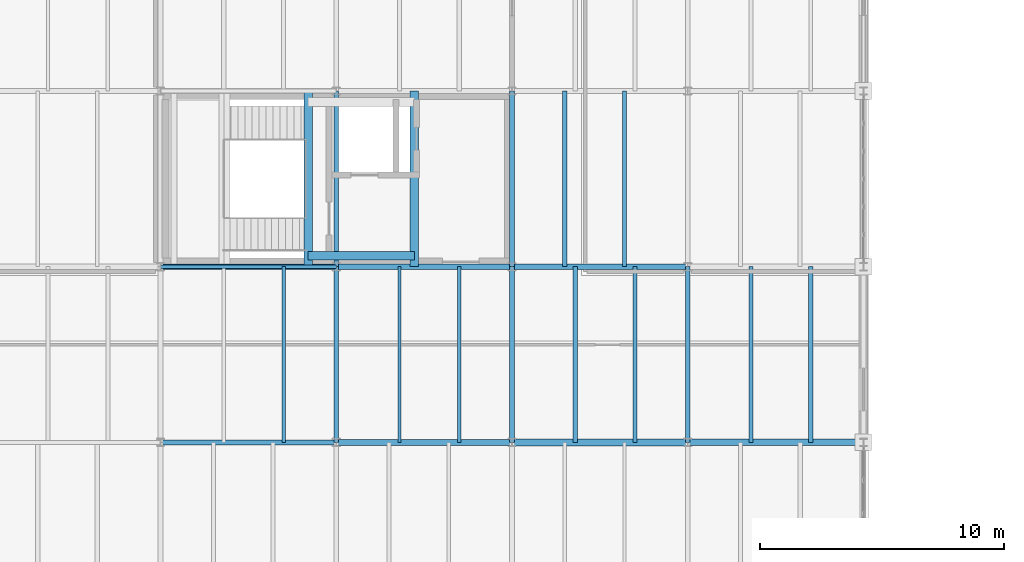
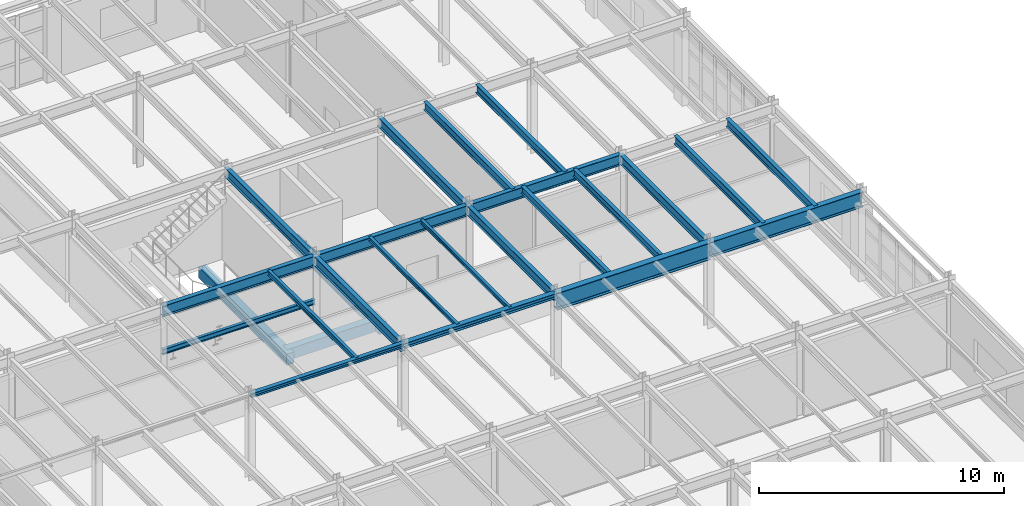
# One storey, part 38 of 137: 25 beams.
"""IFC4 building model written with IfcOpenShell, lengths in metres."""

from ifc_helpers import new_model, si_unit, direction, frame, origin, origin_2d, place, context, subcontext, project, spatial, rectangle, i_section, extrude, material, material_profile, profile_set, type_object, element, save


model = new_model("IFC4")

# Units and contexts
model_context = context("Model", 3, precision=1e-05, world=origin(), true_north=direction((0.0, 1.0)))
body_context = subcontext(model_context, "Body", "Model", "MODEL_VIEW")
ifc_project = project(units=[si_unit("LENGTHUNIT", "METRE"), si_unit("AREAUNIT", "SQUARE_METRE"), si_unit("VOLUMEUNIT", "CUBIC_METRE"), si_unit("PLANEANGLEUNIT", "RADIAN"), si_unit("MASSUNIT", "GRAM", prefix="KILO")], contexts=[model_context])

# Site, building, storey
site_placement = place(None, origin())
site = spatial("IfcSite", under=ifc_project, at=site_placement, CompositionType="ELEMENT")
building_placement = place(site_placement, origin())
building = spatial("IfcBuilding", under=site, at=building_placement, Name="Kemerveld Promenade Tramway Depot", CompositionType="ELEMENT")
storey_placement = place(building_placement, frame((0.0, 0.0, 5.39990234375)))
storey = spatial("IfcBuildingStorey", under=building, at=storey_placement, Name="L01", CompositionType="ELEMENT", Elevation=5.39990234375)

# Beams
ifc_material_1 = material(Name="Steel S355", Category="steel")
ifc_material_profile_1 = material_profile(ifc_material_1, i_section(OverallWidth=0.293701171875, OverallDepth=0.850830078125, WebThickness=0.01611328125, FlangeThickness=0.02685546875, FilletRadius=0.017822265625, at=origin_2d()), Name="838x292x226 UB")
ifc_profile_set_1 = profile_set([ifc_material_profile_1], Name="Steel S355")
beam_type_1 = type_object("IfcBeamType", Name="BM-G01", PredefinedType="BEAM", material=ifc_profile_set_1)
beam_1_placement = place(storey_placement, frame((43.199951171875, 50.39990234375, 3.834716796875), z_axis=(1.0, 0.0, 0.0), x_axis=(0.0, 1.0, 0.0)))
element("IfcBeam", 1, at=beam_1_placement, inside=storey, type_object=beam_type_1, Name="BMX-L01-07-08-H", PredefinedType="BEAM", context=body_context, shape_type="SweptSolid", body=[
    extrude(i_section(OverallWidth=0.293701171875, OverallDepth=0.850830078125, WebThickness=0.01611328125, FlangeThickness=0.02685546875, FilletRadius=0.017822265625, at=origin_2d()), origin(), (0.0, 0.0, 1.0), 7.199951171875),
])
ifc_material_profile_2 = material_profile(ifc_material_1, i_section(OverallWidth=0.2666015625, OverallDepth=0.76220703125, WebThickness=0.014404296875, FlangeThickness=0.021484375, FilletRadius=0.0166015625, at=origin_2d()), Name="762x267x173 UB")
ifc_profile_set_2 = profile_set([ifc_material_profile_2], Name="Steel S355")
beam_type_2 = type_object("IfcBeamType", Name="BM-G02", PredefinedType="BEAM", material=ifc_profile_set_2)
beam_2_placement = place(storey_placement, frame((50.39990234375, 50.39990234375, 3.87890625), z_axis=(1.0, 0.0, 0.0), x_axis=(0.0, 1.0, 0.0)))
element("IfcBeam", 2, at=beam_2_placement, inside=storey, type_object=beam_type_2, Name="BMX-L01-08-09-H", PredefinedType="BEAM", context=body_context, shape_type="SweptSolid", body=[
    extrude(i_section(OverallWidth=0.2666015625, OverallDepth=0.76220703125, WebThickness=0.014404296875, FlangeThickness=0.021484375, FilletRadius=0.0166015625, at=origin_2d()), origin(), (0.0, 0.0, 1.0), 7.2001953125),
])
ifc_material_profile_3 = material_profile(ifc_material_1, i_section(OverallWidth=0.2099609375, OverallDepth=0.53662109375, WebThickness=0.0107421875, FlangeThickness=0.017333984375, FilletRadius=0.0126953125, at=origin_2d()), Name="533x210x101 UB")
ifc_profile_set_3 = profile_set([ifc_material_profile_3], Name="Steel S355")
beam_type_3 = type_object("IfcBeamType", Name="BM-G05", PredefinedType="BEAM", material=ifc_profile_set_3)
for number, where, z_axis, x_axis, name in (
    (3, (28.800048828125, 57.60009765625, 3.99169921875), (1.0, 0.0, 0.0), (0.0, 1.0, 0.0), "BMX-L01-05-06-J"),
    (4, (36.0, 57.60009765625, 3.99169921875), (1.0, 0.0, 0.0), (0.0, 1.0, 0.0), "BMX-L01-06-07-J"),
    (5, (43.199951171875, 57.60009765625, 3.99169921875), (1.0, 0.0, 0.0), (0.0, 1.0, 0.0), "BMX-L01-07-08-J"),
):
    element("IfcBeam", number, at=place(storey_placement, frame(where, z_axis=z_axis, x_axis=x_axis)), inside=storey, type_object=beam_type_3, Name=name, PredefinedType="BEAM", context=body_context, shape_type="SweptSolid", body=[
        extrude(i_section(OverallWidth=0.2099609375, OverallDepth=0.53662109375, WebThickness=0.0107421875, FlangeThickness=0.017333984375, FilletRadius=0.0126953125, at=origin_2d()), origin(), (0.0, 0.0, 1.0), 7.199951171875),
    ])
ifc_material_profile_4 = material_profile(ifc_material_1, i_section(OverallWidth=0.19140625, OverallDepth=0.4599609375, WebThickness=0.010009765625, FlangeThickness=0.01611328125, FilletRadius=0.01025390625, at=origin_2d()), Name="457x191x82 UB")
ifc_profile_set_4 = profile_set([ifc_material_profile_4], Name="Steel S355")
beam_type_4 = type_object("IfcBeamType", Name="BM-G06", PredefinedType="BEAM", material=ifc_profile_set_4)
beam_3_placement = place(storey_placement, frame((36.0, 50.39990234375, 4.030029296875), z_axis=(0.0, 1.0, 0.0), x_axis=(-1.0, 0.0, 0.0)))
element("IfcBeam", 6, at=beam_3_placement, inside=storey, type_object=beam_type_4, Name="BMY-L01-06-H-J", PredefinedType="BEAM", context=body_context, shape_type="SweptSolid", body=[
    extrude(i_section(OverallWidth=0.19140625, OverallDepth=0.4599609375, WebThickness=0.010009765625, FlangeThickness=0.01611328125, FilletRadius=0.01025390625, at=origin_2d()), origin(), (0.0, 0.0, 1.0), 7.2001953125),
])
beam_4_placement = place(storey_placement, frame((36.0, 57.60009765625, 4.030029296875), z_axis=(0.0, 1.0, 0.0), x_axis=(-1.0, 0.0, 0.0)))
element("IfcBeam", 7, at=beam_4_placement, inside=storey, type_object=beam_type_4, Name="BMY-L01-06-J-K", PredefinedType="BEAM", context=body_context, shape_type="SweptSolid", body=[
    extrude(i_section(OverallWidth=0.19140625, OverallDepth=0.4599609375, WebThickness=0.010009765625, FlangeThickness=0.01611328125, FilletRadius=0.01025390625, at=origin_2d()), origin(), (0.0, 0.0, 1.0), 7.199951171875),
])
beam_5_placement = place(storey_placement, frame((43.199951171875, 50.39990234375, 4.030029296875), z_axis=(0.0, 1.0, 0.0), x_axis=(-1.0, 0.0, 0.0)))
element("IfcBeam", 8, at=beam_5_placement, inside=storey, type_object=beam_type_4, Name="BMY-L01-07-H-J", PredefinedType="BEAM", context=body_context, shape_type="SweptSolid", body=[
    extrude(i_section(OverallWidth=0.19140625, OverallDepth=0.4599609375, WebThickness=0.010009765625, FlangeThickness=0.01611328125, FilletRadius=0.01025390625, at=origin_2d()), origin(), (0.0, 0.0, 1.0), 7.2001953125),
])
beam_6_placement = place(storey_placement, frame((43.199951171875, 57.60009765625, 4.030029296875), z_axis=(0.0, 1.0, 0.0), x_axis=(-1.0, 0.0, 0.0)))
element("IfcBeam", 9, at=beam_6_placement, inside=storey, type_object=beam_type_4, Name="BMY-L01-07-J-K", PredefinedType="BEAM", context=body_context, shape_type="SweptSolid", body=[
    extrude(i_section(OverallWidth=0.19140625, OverallDepth=0.4599609375, WebThickness=0.010009765625, FlangeThickness=0.01611328125, FilletRadius=0.01025390625, at=origin_2d()), origin(), (0.0, 0.0, 1.0), 7.199951171875),
])
beam_7_placement = place(storey_placement, frame((50.39990234375, 50.39990234375, 4.030029296875), z_axis=(0.0, 1.0, 0.0), x_axis=(-1.0, 0.0, 0.0)))
element("IfcBeam", 10, at=beam_7_placement, inside=storey, type_object=beam_type_4, Name="BMY-L01-08-H-J", PredefinedType="BEAM", context=body_context, shape_type="SweptSolid", body=[
    extrude(i_section(OverallWidth=0.19140625, OverallDepth=0.4599609375, WebThickness=0.010009765625, FlangeThickness=0.01611328125, FilletRadius=0.01025390625, at=origin_2d()), origin(), (0.0, 0.0, 1.0), 7.2001953125),
])
ifc_material_profile_5 = material_profile(ifc_material_1, i_section(OverallWidth=0.146484375, OverallDepth=0.256103515625, WebThickness=0.00634765625, FlangeThickness=0.010986328125, FilletRadius=0.007568359375, at=origin_2d()), Name="254x146x37 UB")
ifc_profile_set_5 = profile_set([ifc_material_profile_5], Name="Steel S355")
beam_type_5 = type_object("IfcBeamType", Name="BM-J02", PredefinedType="JOIST", material=ifc_profile_set_5)
beam_8_placement = place(storey_placement, frame((33.840087890625, 50.39990234375, 4.132080078125), z_axis=(0.0, 1.0, 0.0), x_axis=(-1.0, 0.0, 0.0)))
element("IfcBeam", 11, at=beam_8_placement, inside=storey, type_object=beam_type_5, Name="JST-L01-05-H-2", PredefinedType="JOIST", context=body_context, shape_type="SweptSolid", body=[
    extrude(i_section(OverallWidth=0.146484375, OverallDepth=0.256103515625, WebThickness=0.00634765625, FlangeThickness=0.010986328125, FilletRadius=0.007568359375, at=origin_2d()), origin(), (0.0, 0.0, 1.0), 7.2001953125),
])
beam_9_placement = place(storey_placement, frame((28.800048828125, 57.60009765625, 1.942138671875), z_axis=(1.0, 0.0, 0.0), x_axis=(0.0, 1.0, 0.0)))
element("IfcBeam", 12, at=beam_9_placement, inside=storey, type_object=beam_type_5, Name="BM-HLY-ST-03-L01-S", PredefinedType="JOIST", context=body_context, shape_type="SweptSolid", body=[
    extrude(i_section(OverallWidth=0.146484375, OverallDepth=0.256103515625, WebThickness=0.00634765625, FlangeThickness=0.010986328125, FilletRadius=0.007568359375, at=origin_2d()), origin(), (0.0, 0.0, 1.0), 7.199951171875),
])
ifc_material_profile_6 = material_profile(ifc_material_1, i_section(OverallWidth=0.13330078125, OverallDepth=0.203125, WebThickness=0.005615234375, FlangeThickness=0.0078125, FilletRadius=0.007568359375, at=origin_2d()), Name="203x133x25 UB")
ifc_profile_set_6 = profile_set([ifc_material_profile_6], Name="Steel S355")
beam_type_6 = type_object("IfcBeamType", Name="BM-J03", PredefinedType="JOIST", material=ifc_profile_set_6)
for number, where, z_axis, x_axis, name in (
    (13, (38.592041015625, 50.39990234375, 4.158447265625), (0.0, 1.0, 0.0), (-1.0, 0.0, 0.0), "JST-L01-06-H-1"),
    (14, (41.0400390625, 50.39990234375, 4.158447265625), (0.0, 1.0, 0.0), (-1.0, 0.0, 0.0), "JST-L01-06-H-2"),
):
    element("IfcBeam", number, at=place(storey_placement, frame(where, z_axis=z_axis, x_axis=x_axis)), inside=storey, type_object=beam_type_6, Name=name, PredefinedType="JOIST", context=body_context, shape_type="SweptSolid", body=[
        extrude(i_section(OverallWidth=0.13330078125, OverallDepth=0.203125, WebThickness=0.005615234375, FlangeThickness=0.0078125, FilletRadius=0.007568359375, at=origin_2d()), origin(), (0.0, 0.0, 1.0), 7.2001953125),
    ])
ifc_material_profile_7 = material_profile(ifc_material_1, i_section(OverallWidth=0.172119140625, OverallDepth=0.35791015625, WebThickness=0.008056640625, FlangeThickness=0.012939453125, FilletRadius=0.01025390625, at=origin_2d()), Name="356x171x57 UB")
ifc_profile_set_7 = profile_set([ifc_material_profile_7], Name="Steel S355")
beam_type_7 = type_object("IfcBeamType", Name="BM-J04", PredefinedType="JOIST", material=ifc_profile_set_7)
for number, where, z_axis, x_axis, name in (
    (15, (45.7919921875, 50.39990234375, 4.0810546875), (0.0, 1.0, 0.0), (-1.0, 0.0, 0.0), "JST-L01-07-H-1"),
    (16, (48.239990234375, 50.39990234375, 4.0810546875), (0.0, 1.0, 0.0), (-1.0, 0.0, 0.0), "JST-L01-07-H-2"),
):
    element("IfcBeam", number, at=place(storey_placement, frame(where, z_axis=z_axis, x_axis=x_axis)), inside=storey, type_object=beam_type_7, Name=name, PredefinedType="JOIST", context=body_context, shape_type="SweptSolid", body=[
        extrude(i_section(OverallWidth=0.172119140625, OverallDepth=0.35791015625, WebThickness=0.008056640625, FlangeThickness=0.012939453125, FilletRadius=0.01025390625, at=origin_2d()), origin(), (0.0, 0.0, 1.0), 7.2001953125),
    ])
ifc_material_profile_8 = material_profile(ifc_material_1, i_section(OverallWidth=0.1787109375, OverallDepth=0.409423828125, WebThickness=0.0087890625, FlangeThickness=0.014404296875, FilletRadius=0.01025390625, at=origin_2d()), Name="406x178x67 UB")
ifc_profile_set_8 = profile_set([ifc_material_profile_8], Name="Steel S355")
beam_type_8 = type_object("IfcBeamType", Name="BM-J05", PredefinedType="JOIST", material=ifc_profile_set_8)
for number, where, z_axis, x_axis, name in (
    (17, (45.360107421875, 57.60009765625, 4.055419921875), (0.0, 1.0, 0.0), (-1.0, 0.0, 0.0), "JST-L01-07-J-1"),
    (18, (47.80810546875, 57.60009765625, 4.055419921875), (0.0, 1.0, 0.0), (-1.0, 0.0, 0.0), "JST-L01-07-J-2"),
):
    element("IfcBeam", number, at=place(storey_placement, frame(where, z_axis=z_axis, x_axis=x_axis)), inside=storey, type_object=beam_type_8, Name=name, PredefinedType="JOIST", context=body_context, shape_type="SweptSolid", body=[
        extrude(i_section(OverallWidth=0.1787109375, OverallDepth=0.409423828125, WebThickness=0.0087890625, FlangeThickness=0.014404296875, FilletRadius=0.01025390625, at=origin_2d()), origin(), (0.0, 0.0, 1.0), 7.199951171875),
    ])
for number, where, z_axis, x_axis, name in (
    (19, (52.991943359375, 50.39990234375, 4.055419921875), (0.0, 1.0, 0.0), (-1.0, 0.0, 0.0), "JST-L01-08-H-1"),
    (20, (55.43994140625, 50.39990234375, 4.055419921875), (0.0, 1.0, 0.0), (-1.0, 0.0, 0.0), "JST-L01-08-H-2"),
):
    element("IfcBeam", number, at=place(storey_placement, frame(where, z_axis=z_axis, x_axis=x_axis)), inside=storey, type_object=beam_type_8, Name=name, PredefinedType="JOIST", context=body_context, shape_type="SweptSolid", body=[
        extrude(i_section(OverallWidth=0.1787109375, OverallDepth=0.409423828125, WebThickness=0.0087890625, FlangeThickness=0.014404296875, FilletRadius=0.01025390625, at=origin_2d()), origin(), (0.0, 0.0, 1.0), 7.2001953125),
    ])
ifc_material_profile_9 = material_profile(ifc_material_1, i_section(OverallWidth=0.205810546875, OverallDepth=0.209716796875, WebThickness=0.009521484375, FlangeThickness=0.01416015625, FilletRadius=0.01025390625, at=origin_2d()), Name="203x203x60 UC")
ifc_profile_set_9 = profile_set([ifc_material_profile_9], Name="Steel S355")
beam_type_9 = type_object("IfcBeamType", Name="BM-LN3", PredefinedType="LINTEL", material=ifc_profile_set_9)
beam_10_placement = place(storey_placement, frame((28.800048828125, 50.39990234375, 4.1552734375), z_axis=(1.0, 0.0, 0.0), x_axis=(0.0, 1.0, 0.0)))
element("IfcBeam", 21, at=beam_10_placement, inside=storey, type_object=beam_type_9, Name="BMX-L01-05-06-H", PredefinedType="LINTEL", context=body_context, shape_type="SweptSolid", body=[
    extrude(i_section(OverallWidth=0.205810546875, OverallDepth=0.209716796875, WebThickness=0.009521484375, FlangeThickness=0.01416015625, FilletRadius=0.01025390625, at=origin_2d()), origin(), (0.0, 0.0, 1.0), 7.199951171875),
])
ifc_material_profile_10 = material_profile(ifc_material_1, i_section(OverallWidth=0.25634765625, OverallDepth=0.26025390625, WebThickness=0.01025390625, FlangeThickness=0.017333984375, FilletRadius=0.0126953125, at=origin_2d()), Name="254x254x89 UC")
ifc_profile_set_10 = profile_set([ifc_material_profile_10], Name="Steel S355")
beam_type_10 = type_object("IfcBeamType", Name="BM-LN4", PredefinedType="LINTEL", material=ifc_profile_set_10)
beam_11_placement = place(storey_placement, frame((36.0, 50.39990234375, 4.1298828125), z_axis=(1.0, 0.0, 0.0), x_axis=(0.0, 1.0, 0.0)))
element("IfcBeam", 22, at=beam_11_placement, inside=storey, type_object=beam_type_10, Name="BMX-L01-06-07-H", PredefinedType="LINTEL", context=body_context, shape_type="SweptSolid", body=[
    extrude(i_section(OverallWidth=0.25634765625, OverallDepth=0.26025390625, WebThickness=0.01025390625, FlangeThickness=0.017333984375, FilletRadius=0.0126953125, at=origin_2d()), origin(), (0.0, 0.0, 1.0), 7.199951171875),
])
ifc_material_2 = material(Name="Concrete C40/50", Category="concrete")
ifc_material_profile_11 = material_profile(ifc_material_2, rectangle(XDim=0.35009765625, YDim=0.550048828125, at=origin_2d()), Name="RC-BM-350x550")
ifc_profile_set_11 = profile_set([ifc_material_profile_11], Name="Concrete C40/50")
beam_type_11 = type_object("IfcBeamType", Name="BM-RC3", PredefinedType="BEAM", material=ifc_profile_set_11)
for number, where, z_axis, x_axis, name in (
    (23, (34.85009765625, 57.60009765625, -0.52978515625), (0.0, 1.0, 0.0), (-1.0, 0.0, 0.0), "BM-CORE-C3-L01-W"),
    (24, (39.199951171875, 57.60009765625, -0.52978515625), (0.0, 1.0, 0.0), (-1.0, 0.0, 0.0), "BM-CORE-C3-L01-E"),
):
    element("IfcBeam", number, at=place(storey_placement, frame(where, z_axis=z_axis, x_axis=x_axis)), inside=storey, type_object=beam_type_11, Name=name, PredefinedType="BEAM", context=body_context, shape_type="SweptSolid", body=[
        extrude(rectangle(XDim=0.35009765625, YDim=0.550048828125, at=origin_2d()), origin(), (0.0, 0.0, 1.0), 7.199951171875),
    ])
beam_12_placement = place(storey_placement, frame((34.85009765625, 58.050048828125, -0.52978515625), z_axis=(1.0, 0.0, 0.0), x_axis=(0.0, 1.0, 0.0)))
element("IfcBeam", 25, at=beam_12_placement, inside=storey, type_object=beam_type_11, Name="BM-COREX-C3-L01-S", PredefinedType="BEAM", context=body_context, shape_type="SweptSolid", body=[
    extrude(rectangle(XDim=0.35009765625, YDim=0.550048828125, at=origin_2d()), origin(), (0.0, 0.0, 1.0), 4.349853515625),
])

save(model, "model.ifc")
